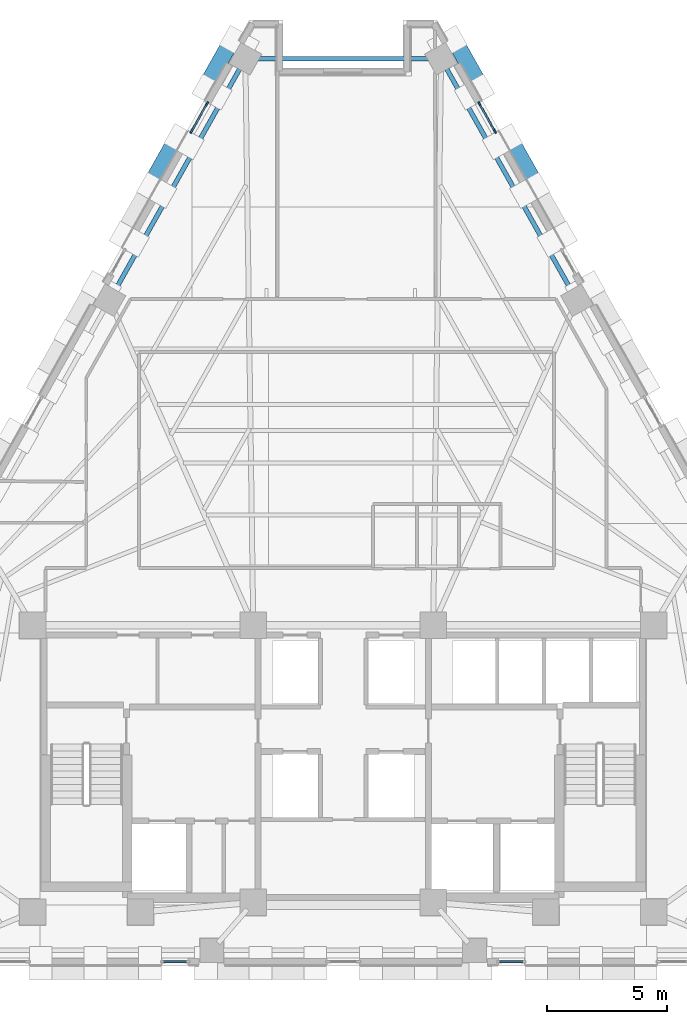
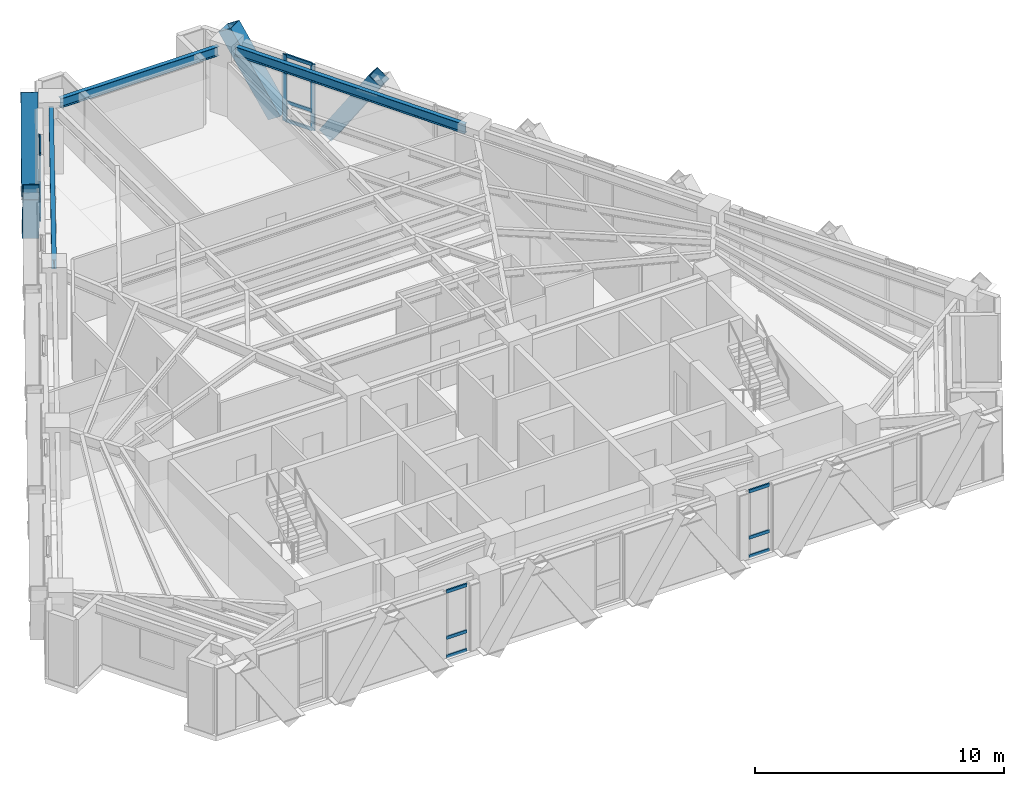
# One storey, part 5 of 13: 20 members, 3 beams, 4 elements without a shape of their own.
"""IFC4 building model written with IfcOpenShell, lengths in metres."""

import ifcopenshell
import ifcopenshell.guid

model = None  # the IFC model being written
_history = None  # IfcOwnerHistory: only IFC2X3 demands one
_inside = {}  # id of a spatial element -> (the spatial element, [elements in it])
_under = {}  # id of a project, library or spatial element -> (it, [spatial elements below it])
_declared = {}  # id of a project -> (the project, [libraries it declares])
_typed = {}  # id of a type object -> (the type object, [elements of that type])
_made_of = {}  # id of a material, layer set ... -> (it, [elements and type objects made of it])


def new_model(schema):
    """Start an empty IFC model of exactly this schema.

    Asked for "IFC4X3", IfcOpenShell would pick the latest addendum, in which some entities
    have other attributes; the version numbers below select the first issue.
    IFC2X3 requires an IfcOwnerHistory on every rooted entity: one is made here for all.
    """
    global model, _history
    if schema == "IFC4X3":
        model = ifcopenshell.file(schema_version=(4, 3, 0, 0))
    else:
        model = ifcopenshell.file(schema=schema)
    _inside.clear()
    _under.clear()
    _declared.clear()
    _typed.clear()
    _made_of.clear()
    _history = None
    if model.schema == "IFC2X3":
        org = make("IfcOrganization", Name="unknown")
        user = make(
            "IfcPersonAndOrganization",
            ThePerson=make("IfcPerson", FamilyName="unknown"),
            TheOrganization=org,
        )
        app = make(
            "IfcApplication",
            ApplicationDeveloper=org,
            Version="unknown",
            ApplicationFullName="unknown",
            ApplicationIdentifier="unknown",
        )
        _history = make(
            "IfcOwnerHistory",
            OwningUser=user,
            OwningApplication=app,
            ChangeAction="ADDED",
            CreationDate=0,
        )
    return model


def make(cls, **values):
    """One entity of the class cls with the attributes given. An attribute that is None is left unset."""
    return model.create_entity(
        cls, **{name: value for name, value in values.items() if value is not None}
    )


def rooted(cls, **values):
    """An entity with a GlobalId (a new one), such as an element, a storey or a relation."""
    return make(cls, GlobalId=ifcopenshell.guid.new(), OwnerHistory=_history, **values)


def si_unit(unit_type, name, prefix=None):
    """IfcSIUnit, for example si_unit("LENGTHUNIT", "METRE", prefix="MILLI")."""
    return make("IfcSIUnit", UnitType=unit_type, Prefix=prefix, Name=name)


def assignment(units):
    """IfcUnitAssignment: the units of a project."""
    return None if units is None else make("IfcUnitAssignment", Units=units)


def point(xyz):
    """IfcCartesianPoint."""
    return None if xyz is None else make("IfcCartesianPoint", Coordinates=xyz)


def direction(xyz):
    """IfcDirection."""
    return None if xyz is None else make("IfcDirection", DirectionRatios=xyz)


def frame(location, z_axis=None, x_axis=None):
    """IfcAxis2Placement3D, a coordinate frame: its origin and axes. An axis left out is left unset."""
    return make(
        "IfcAxis2Placement3D",
        Location=point(location),
        Axis=direction(z_axis),
        RefDirection=direction(x_axis),
    )


def frame_2d(location, x_axis=None):
    """IfcAxis2Placement2D, a coordinate frame in the plane: its origin and x axis."""
    return make(
        "IfcAxis2Placement2D", Location=point(location), RefDirection=direction(x_axis)
    )


def origin():
    """The frame at (0, 0, 0) with its axes left unset."""
    return frame((0.0, 0.0, 0.0))


def origin_2d():
    """The frame at (0, 0) in the plane with its x axis left unset."""
    return frame_2d((0.0, 0.0))


def place(relative_to, where):
    """IfcLocalPlacement: puts the frame where relative to a parent placement (None: the world)."""
    return make(
        "IfcLocalPlacement", PlacementRelTo=relative_to, RelativePlacement=where
    )


def context(
    kind, dimensions, precision=None, world=None, true_north=None, identifier=None
):
    """IfcGeometricRepresentationContext, for example the 3D "Model" context."""
    return make(
        "IfcGeometricRepresentationContext",
        ContextIdentifier=identifier,
        ContextType=kind,
        CoordinateSpaceDimension=dimensions,
        Precision=precision,
        WorldCoordinateSystem=world,
        TrueNorth=true_north,
    )


def subcontext(parent, identifier, kind, view, scale=None):
    """IfcGeometricRepresentationSubContext, for example "Body" below "Model"."""
    return make(
        "IfcGeometricRepresentationSubContext",
        ContextIdentifier=identifier,
        ContextType=kind,
        ParentContext=parent,
        TargetScale=scale,
        TargetView=view,
    )


def project(units=None, contexts=None):
    """IfcProject with its units and contexts."""
    return rooted(
        "IfcProject",
        Name="project",
        RepresentationContexts=contexts,
        UnitsInContext=assignment(units),
    )


def spatial(cls, under=None, at=None, **own):
    """A site, building, storey or space (cls), placed at a placement, below another one or the project."""
    s = rooted(cls, ObjectPlacement=at, **own)
    if under is not None:
        _under.setdefault(under.id(), (under, []))[1].append(s)
    return s


def profile(cls, at=None, kind="AREA", **sizes):
    """A parametric profile (cls). Its sizes go by their IFC names, for example OverallWidth=200.0."""
    return make(cls, ProfileType=kind, Position=at, **sizes)


def rectangle(**sizes):
    """IfcRectangleProfileDef."""
    return profile("IfcRectangleProfileDef", **sizes)


def hollow_rectangle(**sizes):
    """IfcRectangleHollowProfileDef."""
    return profile("IfcRectangleHollowProfileDef", **sizes)


def i_section(**sizes):
    """IfcIShapeProfileDef."""
    return profile("IfcIShapeProfileDef", **sizes)


def extrude(swept, where, along, depth):
    """IfcExtrudedAreaSolid: the profile swept, set in the frame where, extruded along a direction by depth."""
    return make(
        "IfcExtrudedAreaSolid",
        SweptArea=swept,
        Position=where,
        ExtrudedDirection=direction(along),
        Depth=depth,
    )


def shape(context_of_items, identifier, shape_type, items):
    """IfcShapeRepresentation: the items that make up one representation, for example the "Body"."""
    return make(
        "IfcShapeRepresentation",
        ContextOfItems=context_of_items,
        RepresentationIdentifier=identifier,
        RepresentationType=shape_type,
        Items=items,
    )


def material(Name=None, Category=None):
    """IfcMaterial."""
    return make("IfcMaterial", Name=Name, Category=Category)


def material_profile(
    of_material, cross_section, Name=None, Category=None, Priority=None
):
    """IfcMaterialProfile: a cross section and its material."""
    return make(
        "IfcMaterialProfile",
        Name=Name,
        Material=of_material,
        Profile=cross_section,
        Priority=Priority,
        Category=Category,
    )


def profile_set(profiles, Name=None, composite=None):
    """IfcMaterialProfileSet."""
    return make(
        "IfcMaterialProfileSet",
        Name=Name,
        MaterialProfiles=profiles,
        CompositeProfile=composite,
    )


def made_of(thing, what):
    """Note that an element or type object is made of a material, layer set ...; save() writes the relation."""
    if what is not None:
        _made_of.setdefault(what.id(), (what, []))[1].append(thing)
    return thing


def type_object(cls, material=None, **own):
    """A type object (cls), such as IfcWallType, which elements share."""
    return made_of(rooted(cls, **own), material)


def element(
    cls,
    number,
    at=None,
    inside=None,
    cuts=None,
    type_object=None,
    material=None,
    context=None,
    identifier="Body",
    shape_type=None,
    held_by="IfcProductDefinitionShape",
    body=None,
    shapes=None,
    **own,
):
    """One element of the class cls, such as IfcWall. Its Tag is "e" and its number.

    at: its placement. inside: the storey or other place that contains it. cuts: it is an
    opening in that element (IfcRelVoidsElement). A single representation is given by context,
    identifier, shape_type and body (its items); several are given by shapes. held_by: the class
    of the entity that holds the representations. save() writes the other relations.
    """
    e = rooted(cls, Tag="e%d" % number, ObjectPlacement=at, **own)
    if body is not None:
        shapes = [shape(context, identifier, shape_type, body)]
    if shapes is not None:
        e.Representation = make(held_by, Representations=shapes)
    if inside is not None:
        _inside.setdefault(inside.id(), (inside, []))[1].append(e)
    if cuts is not None:
        rooted(
            "IfcRelVoidsElement", RelatingBuildingElement=cuts, RelatedOpeningElement=e
        )
    if type_object is not None:
        _typed.setdefault(type_object.id(), (type_object, []))[1].append(e)
    return made_of(e, material)


def aggregate(whole, parts):
    """IfcRelAggregates: a whole, such as a stair, and the parts it consists of."""
    return rooted("IfcRelAggregates", RelatingObject=whole, RelatedObjects=parts)


def save(model, path):
    """Write the relations noted so far, then the file.

    IfcRelAggregates (storeys below a building ...), IfcRelContainedInSpatialStructure (elements
    in a storey), IfcRelDefinesByType, IfcRelAssociatesMaterial and IfcRelDeclares: one each for
    every whole, place, type object, material and project.
    """
    for whole, parts in _under.values():
        aggregate(whole, parts)
    for where, things in _inside.values():
        rooted(
            "IfcRelContainedInSpatialStructure",
            RelatedElements=things,
            RelatingStructure=where,
        )
    for kind, things in _typed.values():
        rooted("IfcRelDefinesByType", RelatedObjects=things, RelatingType=kind)
    for what, things in _made_of.values():
        rooted("IfcRelAssociatesMaterial", RelatedObjects=things, RelatingMaterial=what)
    for by, libraries in _declared.values():
        rooted("IfcRelDeclares", RelatingContext=by, RelatedDefinitions=libraries)
    model.write(path)


model = new_model("IFC4")

# Units and contexts
model_context = context("Model", 3, precision=1e-05, world=origin(), true_north=direction((0.0, 1.0)))
body_context = subcontext(model_context, "Body", "Model", "MODEL_VIEW")
ifc_project = project(units=[si_unit("LENGTHUNIT", "METRE"), si_unit("AREAUNIT", "SQUARE_METRE"), si_unit("VOLUMEUNIT", "CUBIC_METRE"), si_unit("PLANEANGLEUNIT", "RADIAN"), si_unit("MASSUNIT", "GRAM", prefix="KILO")], contexts=[model_context])

# Site, building, storey
site_placement = place(None, origin())
site = spatial("IfcSite", under=ifc_project, at=site_placement, CompositionType="ELEMENT")
building_placement = place(site_placement, origin())
building = spatial("IfcBuilding", under=site, at=building_placement, Name="Quenlor Broadcast Tower", CompositionType="ELEMENT")
storey_placement = place(building_placement, frame((0.0, 0.0, 158.0)))
storey = spatial("IfcBuildingStorey", under=building, at=storey_placement, Name="L43", CompositionType="ELEMENT", Elevation=158.0)

# Curtain wall, members
ifc_material_1 = material(Name="Architectural Terracotta and Low-E Glazing", Category="masonry")
curtain_wall_type = type_object("IfcCurtainWallType", Name="Unitised Terracotta Curtain Wall System Z3", PredefinedType="NOTDEFINED", material=ifc_material_1)
curtain_wall_1_placement = place(storey_placement, origin())
curtain_wall_1 = element("IfcCurtainWall", 1, at=curtain_wall_1_placement, inside=storey, type_object=curtain_wall_type, Name="L43 Curtain Wall CW3 (L43-NEA-G1)", PredefinedType="NOTDEFINED")
ifc_material_2 = material(Name="Aluminium 6063-T6", Category="aluminium")
ifc_material_profile_1 = material_profile(ifc_material_2, rectangle(XDim=0.070068359375, YDim=0.18994140625, at=origin_2d()))
ifc_profile_set_1 = profile_set([ifc_material_profile_1], Name="Aluminium 6063-T6 MULL70x190")
member_type_1 = type_object("IfcMemberType", Name="CW3 Aluminium Mullion MULL_CW3", PredefinedType="MULLION", material=ifc_profile_set_1)
member_1_placement = place(storey_placement, frame((5.677978515625, 16.94921875, 0.0), z_axis=(0.0, 0.0, 1.0), x_axis=(0.871592831439, 0.490230492916, 0.0)))
member_1 = element("IfcMember", 2, at=member_1_placement, type_object=member_type_1, Name="CW3 mullion 1", PredefinedType="MULLION", context=body_context, shape_type="SweptSolid", body=[
    extrude(rectangle(XDim=0.070068359375, YDim=0.18994140625, at=origin_2d()), origin(), (0.0, 0.0, 1.0), 3.25),
])
member_2_placement = place(storey_placement, frame((6.324951171875, 15.798828125, 0.0), z_axis=(0.0, 0.0, 1.0), x_axis=(0.871592831439, 0.490230492916, 0.0)))
member_2 = element("IfcMember", 3, at=member_2_placement, type_object=member_type_1, Name="CW3 mullion 2", PredefinedType="MULLION", context=body_context, shape_type="SweptSolid", body=[
    extrude(rectangle(XDim=0.070068359375, YDim=0.18994140625, at=origin_2d()), origin(), (0.0, 0.0, 1.0), 3.25),
])

curtain_wall_2_placement = place(storey_placement, origin())
curtain_wall_2 = element("IfcCurtainWall", 4, at=curtain_wall_2_placement, inside=storey, type_object=curtain_wall_type, Name="L43 Curtain Wall CW3 (L43-NWC-G2)", PredefinedType="NOTDEFINED")
member_3_placement = place(storey_placement, frame((-6.324951171875, 15.798828125, 0.0), z_axis=(0.0, 0.0, 1.0), x_axis=(-0.871592831439, 0.490230492916, 0.0)))
member_3 = element("IfcMember", 5, at=member_3_placement, type_object=member_type_1, Name="CW3 mullion 1", PredefinedType="MULLION", context=body_context, shape_type="SweptSolid", body=[
    extrude(rectangle(XDim=0.070068359375, YDim=0.18994140625, at=origin_2d()), origin(), (0.0, 0.0, 1.0), 3.25),
])
member_4_placement = place(storey_placement, frame((-5.677978515625, 16.94921875, 0.0), z_axis=(0.0, 0.0, 1.0), x_axis=(-0.871592831439, 0.490230492916, 0.0)))
member_4 = element("IfcMember", 6, at=member_4_placement, type_object=member_type_1, Name="CW3 mullion 2", PredefinedType="MULLION", context=body_context, shape_type="SweptSolid", body=[
    extrude(rectangle(XDim=0.070068359375, YDim=0.18994140625, at=origin_2d()), origin(), (0.0, 0.0, 1.0), 3.25),
])

curtain_wall_3_placement = place(storey_placement, origin())
curtain_wall_3 = element("IfcCurtainWall", 7, at=curtain_wall_3_placement, inside=storey, type_object=curtain_wall_type, Name="L43 Curtain Wall CW3 (L43-SA-G2)", PredefinedType="NOTDEFINED")
ifc_material_3 = material(Name="Aluminium 6063-T6", Category="aluminium")
ifc_material_profile_2 = material_profile(ifc_material_3, rectangle(XDim=0.070068359375, YDim=0.155029296875, at=origin_2d()))
ifc_profile_set_2 = profile_set([ifc_material_profile_2], Name="Aluminium 6063-T6 TRAN70x155")
member_type_2 = type_object("IfcMemberType", Name="CW3 Aluminium Transom TRAN_CW3", PredefinedType="USERDEFINED", material=ifc_profile_set_2)
member_5_placement = place(storey_placement, frame((7.487060546875, -18.824951171875, 0.034912109375), z_axis=(-1.0, 0.0, 0.0), x_axis=(0.0, -1.0, 0.0)))
member_5 = element("IfcMember", 8, at=member_5_placement, type_object=member_type_2, Name="CW3 transom 1.1", ObjectType="TRANSOM", PredefinedType="USERDEFINED", context=body_context, shape_type="SweptSolid", body=[
    extrude(rectangle(XDim=0.070068359375, YDim=0.155029296875, at=origin_2d()), origin(), (0.0, 0.0, 1.0), 0.951171875),
])
member_6_placement = place(storey_placement, frame((7.487060546875, -18.824951171875, 0.949951171875), z_axis=(-1.0, 0.0, 0.0), x_axis=(0.0, -1.0, 0.0)))
member_6 = element("IfcMember", 9, at=member_6_placement, type_object=member_type_2, Name="CW3 transom 1.2", ObjectType="TRANSOM", PredefinedType="USERDEFINED", context=body_context, shape_type="SweptSolid", body=[
    extrude(rectangle(XDim=0.070068359375, YDim=0.155029296875, at=origin_2d()), origin(), (0.0, 0.0, 1.0), 0.951171875),
])
member_7_placement = place(storey_placement, frame((7.487060546875, -18.824951171875, 3.215087890625), z_axis=(-1.0, 0.0, 0.0), x_axis=(0.0, -1.0, 0.0)))
member_7 = element("IfcMember", 10, at=member_7_placement, type_object=member_type_2, Name="CW3 transom 1.3", ObjectType="TRANSOM", PredefinedType="USERDEFINED", context=body_context, shape_type="SweptSolid", body=[
    extrude(rectangle(XDim=0.070068359375, YDim=0.155029296875, at=origin_2d()), origin(), (0.0, 0.0, 1.0), 0.951171875),
])
aggregate(curtain_wall_3, [member_5, member_6, member_7])

curtain_wall_4_placement = place(storey_placement, origin())
curtain_wall_4 = element("IfcCurtainWall", 11, at=curtain_wall_4_placement, inside=storey, type_object=curtain_wall_type, Name="L43 Curtain Wall CW3 (L43-SC-G1)", PredefinedType="NOTDEFINED")
member_8_placement = place(storey_placement, frame((-6.535888671875, -18.824951171875, 0.034912109375), z_axis=(-1.0, 0.0, 0.0), x_axis=(0.0, -1.0, 0.0)))
member_8 = element("IfcMember", 12, at=member_8_placement, type_object=member_type_2, Name="CW3 transom 1.1", ObjectType="TRANSOM", PredefinedType="USERDEFINED", context=body_context, shape_type="SweptSolid", body=[
    extrude(rectangle(XDim=0.070068359375, YDim=0.155029296875, at=origin_2d()), origin(), (0.0, 0.0, 1.0), 0.951171875),
])
member_9_placement = place(storey_placement, frame((-6.535888671875, -18.824951171875, 0.949951171875), z_axis=(-1.0, 0.0, 0.0), x_axis=(0.0, -1.0, 0.0)))
member_9 = element("IfcMember", 13, at=member_9_placement, type_object=member_type_2, Name="CW3 transom 1.2", ObjectType="TRANSOM", PredefinedType="USERDEFINED", context=body_context, shape_type="SweptSolid", body=[
    extrude(rectangle(XDim=0.070068359375, YDim=0.155029296875, at=origin_2d()), origin(), (0.0, 0.0, 1.0), 0.951171875),
])
member_10_placement = place(storey_placement, frame((-6.535888671875, -18.824951171875, 3.215087890625), z_axis=(-1.0, 0.0, 0.0), x_axis=(0.0, -1.0, 0.0)))
member_10 = element("IfcMember", 14, at=member_10_placement, type_object=member_type_2, Name="CW3 transom 1.3", ObjectType="TRANSOM", PredefinedType="USERDEFINED", context=body_context, shape_type="SweptSolid", body=[
    extrude(rectangle(XDim=0.070068359375, YDim=0.155029296875, at=origin_2d()), origin(), (0.0, 0.0, 1.0), 0.951171875),
])
aggregate(curtain_wall_4, [member_8, member_9, member_10])

# Member
member_11_placement = place(storey_placement, frame((5.695068359375, 16.918701171875, 0.034912109375), z_axis=(0.490131387775, -0.871648566062, 0.0), x_axis=(0.871648566062, 0.490131387775, 0.0)))
member_11 = element("IfcMember", 15, at=member_11_placement, type_object=member_type_2, Name="CW3 transom 1.1", ObjectType="TRANSOM", PredefinedType="USERDEFINED", context=body_context, shape_type="SweptSolid", body=[
    extrude(rectangle(XDim=0.070068359375, YDim=0.155029296875, at=origin_2d()), origin(), (0.0, 0.0, 1.0), 1.249755859375),
])

member_12_placement = place(storey_placement, frame((5.695068359375, 16.918701171875, 0.949951171875), z_axis=(0.490131387775, -0.871648566062, 0.0), x_axis=(0.871648566062, 0.490131387775, 0.0)))
member_12 = element("IfcMember", 16, at=member_12_placement, type_object=member_type_2, Name="CW3 transom 1.2", ObjectType="TRANSOM", PredefinedType="USERDEFINED", context=body_context, shape_type="SweptSolid", body=[
    extrude(rectangle(XDim=0.070068359375, YDim=0.155029296875, at=origin_2d()), origin(), (0.0, 0.0, 1.0), 1.249755859375),
])

member_13_placement = place(storey_placement, frame((5.695068359375, 16.918701171875, 3.215087890625), z_axis=(0.490131387775, -0.871648566062, 0.0), x_axis=(0.871648566062, 0.490131387775, 0.0)))
member_13 = element("IfcMember", 17, at=member_13_placement, type_object=member_type_2, Name="CW3 transom 1.3", ObjectType="TRANSOM", PredefinedType="USERDEFINED", context=body_context, shape_type="SweptSolid", body=[
    extrude(rectangle(XDim=0.070068359375, YDim=0.155029296875, at=origin_2d()), origin(), (0.0, 0.0, 1.0), 1.249755859375),
])

aggregate(curtain_wall_1, [member_1, member_2, member_11, member_12, member_13])

member_14_placement = place(storey_placement, frame((-6.3076171875, 15.829345703125, 0.034912109375), z_axis=(0.490131387775, 0.871648566062, 0.0), x_axis=(-0.871648566062, 0.490131387775, 0.0)))
member_14 = element("IfcMember", 18, at=member_14_placement, type_object=member_type_2, Name="CW3 transom 1.1", ObjectType="TRANSOM", PredefinedType="USERDEFINED", context=body_context, shape_type="SweptSolid", body=[
    extrude(rectangle(XDim=0.070068359375, YDim=0.155029296875, at=origin_2d()), origin(), (0.0, 0.0, 1.0), 1.249755859375),
])

member_15_placement = place(storey_placement, frame((-6.3076171875, 15.829345703125, 0.949951171875), z_axis=(0.490131387775, 0.871648566062, 0.0), x_axis=(-0.871648566062, 0.490131387775, 0.0)))
member_15 = element("IfcMember", 19, at=member_15_placement, type_object=member_type_2, Name="CW3 transom 1.2", ObjectType="TRANSOM", PredefinedType="USERDEFINED", context=body_context, shape_type="SweptSolid", body=[
    extrude(rectangle(XDim=0.070068359375, YDim=0.155029296875, at=origin_2d()), origin(), (0.0, 0.0, 1.0), 1.249755859375),
])

member_16_placement = place(storey_placement, frame((-6.3076171875, 15.829345703125, 3.215087890625), z_axis=(0.490131387775, 0.871648566062, 0.0), x_axis=(-0.871648566062, 0.490131387775, 0.0)))
member_16 = element("IfcMember", 20, at=member_16_placement, type_object=member_type_2, Name="CW3 transom 1.3", ObjectType="TRANSOM", PredefinedType="USERDEFINED", context=body_context, shape_type="SweptSolid", body=[
    extrude(rectangle(XDim=0.070068359375, YDim=0.155029296875, at=origin_2d()), origin(), (0.0, 0.0, 1.0), 1.249755859375),
])

aggregate(curtain_wall_2, [member_3, member_4, member_14, member_15, member_16])

# Members
ifc_material_4 = material(Name="Steel S355", Category="steel")
ifc_material_profile_3 = material_profile(ifc_material_4, hollow_rectangle(XDim=0.679931640625, YDim=0.679931640625, WallThickness=0.02490234375, at=origin_2d()))
ifc_profile_set_3 = profile_set([ifc_material_profile_3], Name="Steel S355 RHS680x680x25")
member_type_3 = type_object("IfcMemberType", Name="Perimeter Diagonal Lattice Brace Z3-Z4 Steel S355 RHS680x25", PredefinedType="BRACE", material=ifc_profile_set_3)
for number, where, z_axis, x_axis, name in (
    (21, (6.92724609375, 15.53369140625, -0.1201171875), (0.2705491942, -0.481008661973, 0.833926735766), (0.871589611547, 0.490236217596, 0.0), "L43 Perimeter Diamond Lattice NE-C1S"),
    (22, (5.763916015625, 17.6015625, -0.1201171875), (-0.2705491942, 0.481008661973, 0.833926735766), (-0.871589611547, -0.490236217596, 0.0), "L43 Perimeter Diamond Lattice NE-C1B"),
    (23, (-5.763916015625, 17.6015625, -0.1201171875), (0.2705491942, 0.481008661973, 0.833926735766), (-0.871589611547, 0.490236217596, 0.0), "L43 Perimeter Diamond Lattice NW-C5S"),
    (24, (-6.92724609375, 15.53369140625, -0.1201171875), (-0.2705491942, -0.481008661973, 0.833926735766), (0.871589611547, -0.490236217596, 0.0), "L43 Perimeter Diamond Lattice NW-C5B"),
):
    element("IfcMember", number, at=place(storey_placement, frame(where, z_axis=z_axis, x_axis=x_axis)), inside=storey, type_object=member_type_3, Name=name, PredefinedType="BRACE", context=body_context, shape_type="SweptSolid", body=[
        extrude(hollow_rectangle(XDim=0.679931640625, YDim=0.679931640625, WallThickness=0.02490234375, at=origin_2d()), origin(), (0.0, 0.0, 1.0), 4.197021484375),
    ])

# Beams
ifc_material_5 = material(Name="Steel S355", Category="steel")
ifc_material_profile_4 = material_profile(ifc_material_5, i_section(OverallWidth=0.19091796875, OverallDepth=0.46044921875, WebThickness=0.010009765625, FlangeThickness=0.01611328125, FilletRadius=0.011474609375, at=origin_2d()))
ifc_profile_set_4 = profile_set([ifc_material_profile_4], Name="Steel S355 460UB82.1")
beam_type = type_object("IfcBeamType", Name="Perimeter Spandrel Beam Z3 Steel S355 460UB82.1", PredefinedType="SPANDREL", material=ifc_profile_set_4)
beam_1_placement = place(storey_placement, frame((9.5419921875, 9.110595703125, 3.019775390625), z_axis=(-0.490257999604, 0.871577359633, 0.0), x_axis=(-0.871577359633, -0.490257999604, 0.0)))
element("IfcBeam", 25, at=beam_1_placement, inside=storey, type_object=beam_type, Name="L43 Spandrel Beam NE3-NE4", PredefinedType="SPANDREL", context=body_context, shape_type="SweptSolid", body=[
    extrude(i_section(OverallWidth=0.19091796875, OverallDepth=0.46044921875, WebThickness=0.010009765625, FlangeThickness=0.01611328125, FilletRadius=0.011474609375, at=origin_2d()), origin(), (0.0, 0.0, 1.0), 10.732666015625),
])
beam_2_placement = place(storey_placement, frame((3.669189453125, 18.822021484375, 3.019775390625), z_axis=(-1.0, 0.0, 0.0), x_axis=(0.0, -1.0, 0.0)))
element("IfcBeam", 26, at=beam_2_placement, inside=storey, type_object=beam_type, Name="L43 Spandrel Beam NE4-NW1", PredefinedType="SPANDREL", context=body_context, shape_type="SweptSolid", body=[
    extrude(i_section(OverallWidth=0.19091796875, OverallDepth=0.46044921875, WebThickness=0.010009765625, FlangeThickness=0.01611328125, FilletRadius=0.011474609375, at=origin_2d()), origin(), (0.0, 0.0, 1.0), 7.33837890625),
])
beam_3_placement = place(storey_placement, frame((-4.2802734375, 18.46484375, 3.019775390625), z_axis=(-0.490257999604, -0.871577359633, 0.0), x_axis=(0.871577359633, -0.490257999604, 0.0)))
element("IfcBeam", 27, at=beam_3_placement, inside=storey, type_object=beam_type, Name="L43 Spandrel Beam NW1-NW2", PredefinedType="SPANDREL", context=body_context, shape_type="SweptSolid", body=[
    extrude(i_section(OverallWidth=0.19091796875, OverallDepth=0.46044921875, WebThickness=0.010009765625, FlangeThickness=0.01611328125, FilletRadius=0.011474609375, at=origin_2d()), origin(), (0.0, 0.0, 1.0), 10.732666015625),
])

save(model, "model.ifc")
